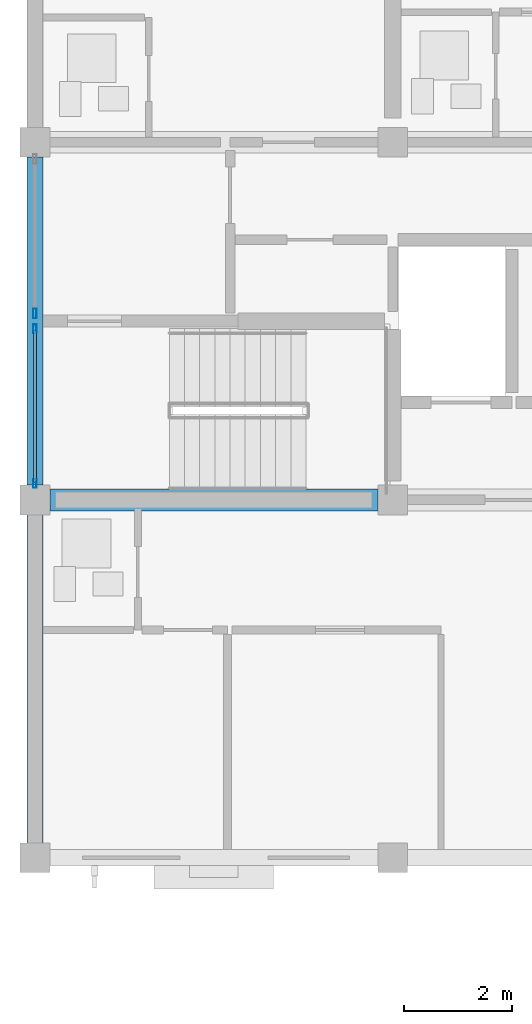
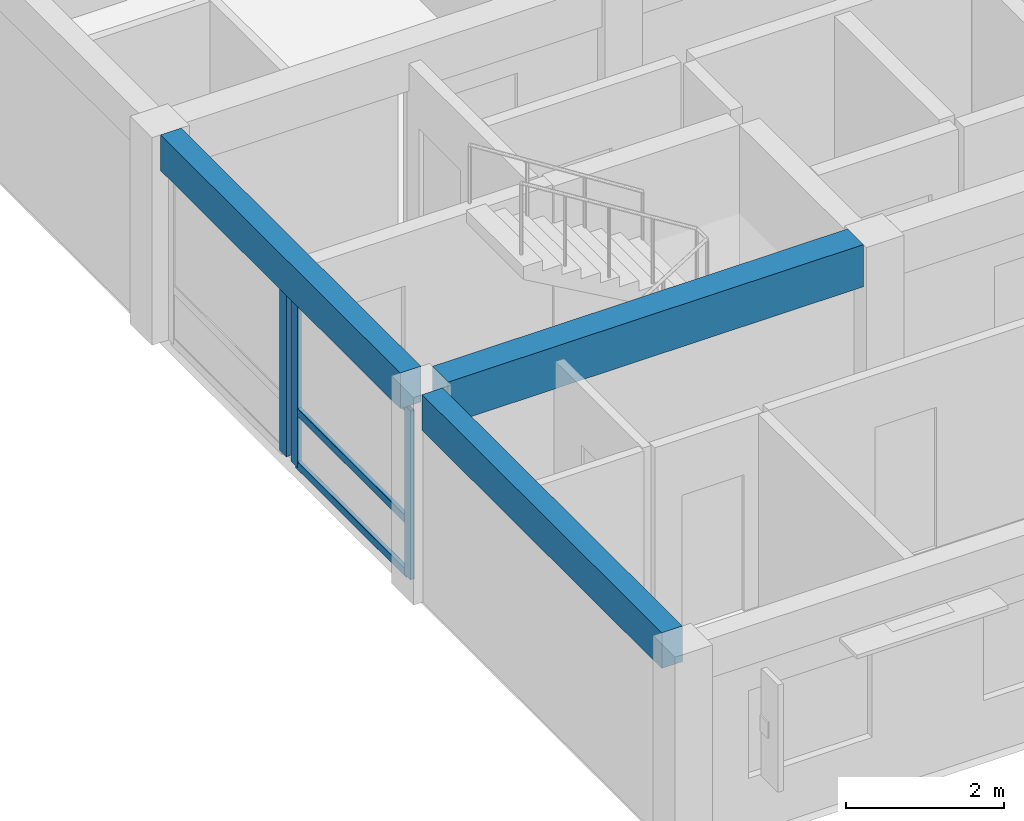
# One storey, part 14 of 49: 6 members, 3 beams, 2 elements without a shape of their own.
"""IFC4 building model written with IfcOpenShell, lengths in metres."""

from ifc_helpers import new_model, si_unit, direction, frame, origin, origin_2d, place, context, subcontext, project, spatial, rectangle, hollow_rectangle, extrude, material, material_profile, profile_set, type_object, element, aggregate, save


model = new_model("IFC4")

# Units and contexts
model_context = context("Model", 3, precision=1e-05, world=origin(), true_north=direction((0.0, 1.0)))
body_context = subcontext(model_context, "Body", "Model", "MODEL_VIEW")
ifc_project = project(units=[si_unit("LENGTHUNIT", "METRE"), si_unit("AREAUNIT", "SQUARE_METRE"), si_unit("VOLUMEUNIT", "CUBIC_METRE"), si_unit("PLANEANGLEUNIT", "RADIAN"), si_unit("MASSUNIT", "GRAM", prefix="KILO")], contexts=[model_context])

# Site, building, storey
site_placement = place(None, origin())
site = spatial("IfcSite", under=ifc_project, at=site_placement, CompositionType="ELEMENT")
building_placement = place(site_placement, origin())
building = spatial("IfcBuilding", under=site, at=building_placement, Name="Kernevlak Ridge Housing Community", CompositionType="ELEMENT")
storey_placement = place(building_placement, frame((0.0, 0.0, 30.800048828125)))
storey = spatial("IfcBuildingStorey", under=building, at=storey_placement, Name="L09", CompositionType="ELEMENT", Elevation=30.800048828125)

# Beam
ifc_material_1 = material(Name="Concrete C35/45", Category="concrete")
ifc_material_profile_1 = material_profile(ifc_material_1, rectangle(XDim=0.39990234375, YDim=0.64990234375, at=origin_2d()), Name="RC 400x650")
ifc_profile_set_1 = profile_set([ifc_material_profile_1], Name="Concrete C35/45")
beam_type_1 = type_object("IfcBeamType", Name="B-03", PredefinedType="T_BEAM", material=ifc_profile_set_1)
beam_placement = place(storey_placement, frame((15.875, 82.60009765625, 2.875), z_axis=(1.0, 0.0, 0.0), x_axis=(0.0, 1.0, 0.0)))
element("IfcBeam", 1, at=beam_placement, inside=storey, type_object=beam_type_1, Name="Beam B-03 L09 296", PredefinedType="T_BEAM", context=body_context, shape_type="SweptSolid", body=[
    extrude(rectangle(XDim=0.39990234375, YDim=0.64990234375, at=origin_2d()), origin(), (0.0, 0.0, 1.0), 6.050048828125),
])

# Curtain wall, members
ifc_material_2 = material(Name="Aluminium EN AW-6060 anodised and laminated glass", Category="aluminium")
curtain_wall_type_1 = type_object("IfcCurtainWallType", Name="CW-01", PredefinedType="NOTDEFINED", material=ifc_material_2)
curtain_wall_1_placement = place(storey_placement, origin())
curtain_wall_1 = element("IfcCurtainWall", 2, at=curtain_wall_1_placement, inside=storey, type_object=curtain_wall_type_1, Name="Curtain wall CW-01 CW-L09-028", PredefinedType="NOTDEFINED")
ifc_material_3 = material(Name="Aluminium EN AW-6060 anodised", Category="aluminium")
ifc_material_profile_2 = material_profile(ifc_material_3, hollow_rectangle(XDim=0.06005859375, YDim=0.159912109375, WallThickness=0.00390625, InnerFilletRadius=0.001953125, OuterFilletRadius=0.00390625, at=origin_2d()), Name="ALU 60x160x4")
ifc_profile_set_2 = profile_set([ifc_material_profile_2], Name="Aluminium EN AW-6060 anodised")
member_type_1 = type_object("IfcMemberType", Name="MU-02", PredefinedType="MULLION", material=ifc_profile_set_2)
member_1_placement = place(storey_placement, frame((15.60009765625, 82.905029296875, 0.0), z_axis=(0.0, 0.0, 1.0), x_axis=(-1.0, 0.0, 0.0)))
member_1 = element("IfcMember", 3, at=member_1_placement, type_object=member_type_1, Name="CW-01 mullion 1", PredefinedType="MULLION", context=body_context, shape_type="SweptSolid", body=[
    extrude(hollow_rectangle(XDim=0.06005859375, YDim=0.159912109375, WallThickness=0.00390625, InnerFilletRadius=0.001953125, OuterFilletRadius=0.00390625, at=origin_2d()), origin(), (0.0, 0.0, 1.0), 2.599853515625),
])
member_2_placement = place(storey_placement, frame((15.60009765625, 85.760009765625, 0.0), z_axis=(0.0, 0.0, 1.0), x_axis=(-1.0, 0.0, 0.0)))
member_2 = element("IfcMember", 4, at=member_2_placement, type_object=member_type_1, Name="CW-01 mullion 2", PredefinedType="MULLION", context=body_context, shape_type="SweptSolid", body=[
    extrude(hollow_rectangle(XDim=0.06005859375, YDim=0.159912109375, WallThickness=0.00390625, InnerFilletRadius=0.001953125, OuterFilletRadius=0.00390625, at=origin_2d()), origin(), (0.0, 0.0, 1.0), 2.599853515625),
])

# Curtain wall, member
curtain_wall_type_2 = type_object("IfcCurtainWallType", Name="CW-07", PredefinedType="NOTDEFINED", material=ifc_material_2)
curtain_wall_2_placement = place(storey_placement, origin())
curtain_wall_2 = element("IfcCurtainWall", 5, at=curtain_wall_2_placement, inside=storey, type_object=curtain_wall_type_2, Name="Curtain wall CW-07 CW-L09-029", PredefinedType="NOTDEFINED")
ifc_material_profile_3 = material_profile(ifc_material_3, hollow_rectangle(XDim=0.06494140625, YDim=0.179931640625, WallThickness=0.00439453125, InnerFilletRadius=0.001953125, OuterFilletRadius=0.00439453125, at=origin_2d()), Name="ALU 65x180x4.5")
ifc_profile_set_3 = profile_set([ifc_material_profile_3], Name="Aluminium EN AW-6060 anodised")
member_type_2 = type_object("IfcMemberType", Name="MU-03", PredefinedType="MULLION", material=ifc_profile_set_3)
member_3_placement = place(storey_placement, frame((15.60009765625, 86.04248046875, 0.0), z_axis=(0.0, 0.0, 1.0), x_axis=(-1.0, 0.0, 0.0)))
member_3 = element("IfcMember", 6, at=member_3_placement, type_object=member_type_2, Name="CW-07 mullion 1", PredefinedType="MULLION", context=body_context, shape_type="SweptSolid", body=[
    extrude(hollow_rectangle(XDim=0.06494140625, YDim=0.179931640625, WallThickness=0.00439453125, InnerFilletRadius=0.001953125, OuterFilletRadius=0.00439453125, at=origin_2d()), origin(), (0.0, 0.0, 1.0), 2.599853515625),
])
aggregate(curtain_wall_2, [member_3])

# Beams
ifc_material_profile_4 = material_profile(ifc_material_1, rectangle(XDim=0.300048828125, YDim=0.550048828125, at=origin_2d()), Name="RC 300x550")
ifc_profile_set_4 = profile_set([ifc_material_profile_4], Name="Concrete C35/45")
beam_type_2 = type_object("IfcBeamType", Name="SP-01", PredefinedType="SPANDREL", material=ifc_profile_set_4)
for number, where, z_axis, x_axis, name in (
    (7, (15.60009765625, 76.27490234375, 2.925048828125), (0.0, 1.0, 0.0), (-1.0, 0.0, 0.0), "Beam SP-01 L09 311"),
    (8, (15.60009765625, 82.875, 2.925048828125), (0.0, 1.0, 0.0), (-1.0, 0.0, 0.0), "Beam SP-01 L09 312"),
):
    element("IfcBeam", number, at=place(storey_placement, frame(where, z_axis=z_axis, x_axis=x_axis)), inside=storey, type_object=beam_type_2, Name=name, PredefinedType="SPANDREL", context=body_context, shape_type="SweptSolid", body=[
        extrude(rectangle(XDim=0.300048828125, YDim=0.550048828125, at=origin_2d()), origin(), (0.0, 0.0, 1.0), 6.050048828125),
    ])

# Member
ifc_material_profile_5 = material_profile(ifc_material_3, hollow_rectangle(XDim=0.06005859375, YDim=0.1201171875, WallThickness=0.00390625, InnerFilletRadius=0.001953125, OuterFilletRadius=0.00390625, at=origin_2d()), Name="ALU 60x120x4")
ifc_profile_set_5 = profile_set([ifc_material_profile_5], Name="Aluminium EN AW-6060 anodised")
member_type_3 = type_object("IfcMemberType", Name="TM-02", PredefinedType="USERDEFINED", material=ifc_profile_set_5)
member_4_placement = place(storey_placement, frame((15.60009765625, 82.93505859375, 0.030029296875), z_axis=(0.0, 1.0, 0.0), x_axis=(-1.0, 0.0, 0.0)))
member_4 = element("IfcMember", 9, at=member_4_placement, type_object=member_type_3, Name="CW-01 transom 1.1", ObjectType="TRANSOM", PredefinedType="USERDEFINED", context=body_context, shape_type="SweptSolid", body=[
    extrude(hollow_rectangle(XDim=0.06005859375, YDim=0.1201171875, WallThickness=0.00390625, InnerFilletRadius=0.001953125, OuterFilletRadius=0.00390625, at=origin_2d()), origin(), (0.0, 0.0, 1.0), 2.794921875),
])

member_5_placement = place(storey_placement, frame((15.60009765625, 82.93505859375, 0.849853515625), z_axis=(0.0, 1.0, 0.0), x_axis=(-1.0, 0.0, 0.0)))
member_5 = element("IfcMember", 10, at=member_5_placement, type_object=member_type_3, Name="CW-01 transom 1.2", ObjectType="TRANSOM", PredefinedType="USERDEFINED", context=body_context, shape_type="SweptSolid", body=[
    extrude(hollow_rectangle(XDim=0.06005859375, YDim=0.1201171875, WallThickness=0.00390625, InnerFilletRadius=0.001953125, OuterFilletRadius=0.00390625, at=origin_2d()), origin(), (0.0, 0.0, 1.0), 2.794921875),
])

member_6_placement = place(storey_placement, frame((15.60009765625, 82.93505859375, 2.570068359375), z_axis=(0.0, 1.0, 0.0), x_axis=(-1.0, 0.0, 0.0)))
member_6 = element("IfcMember", 11, at=member_6_placement, type_object=member_type_3, Name="CW-01 transom 1.3", ObjectType="TRANSOM", PredefinedType="USERDEFINED", context=body_context, shape_type="SweptSolid", body=[
    extrude(hollow_rectangle(XDim=0.06005859375, YDim=0.1201171875, WallThickness=0.00390625, InnerFilletRadius=0.001953125, OuterFilletRadius=0.00390625, at=origin_2d()), origin(), (0.0, 0.0, 1.0), 2.794921875),
])

aggregate(curtain_wall_1, [member_1, member_2, member_4, member_5, member_6])

save(model, "model.ifc")
